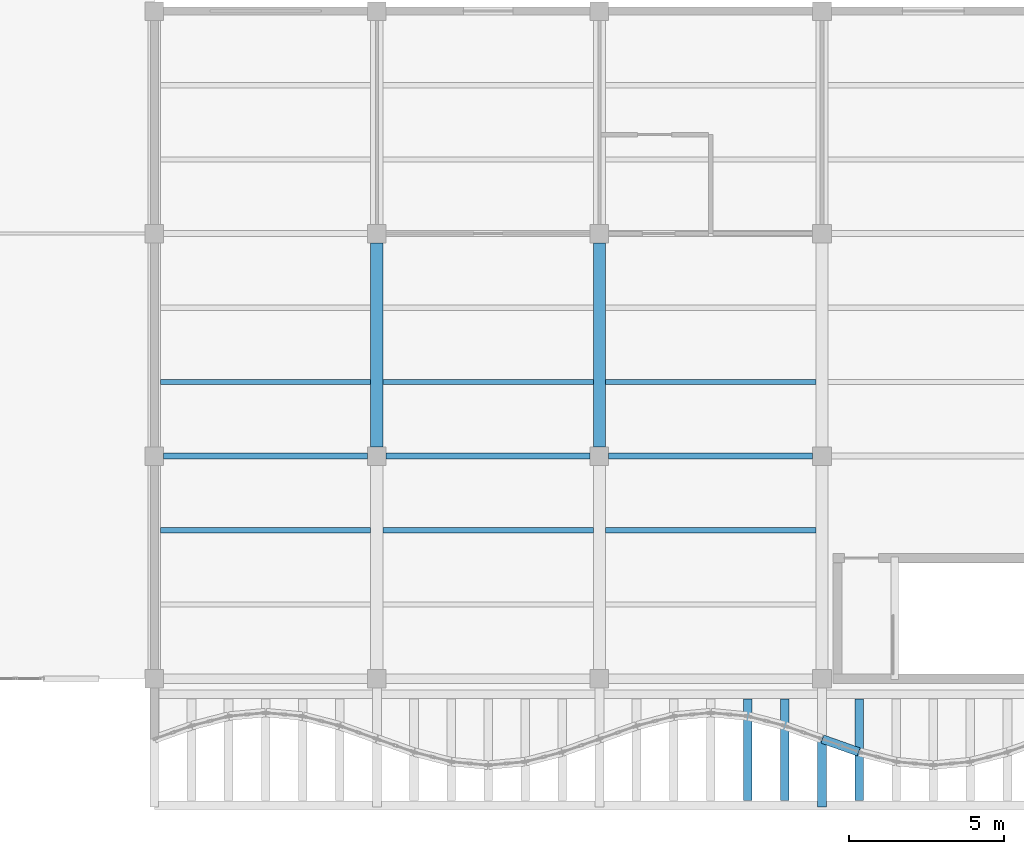
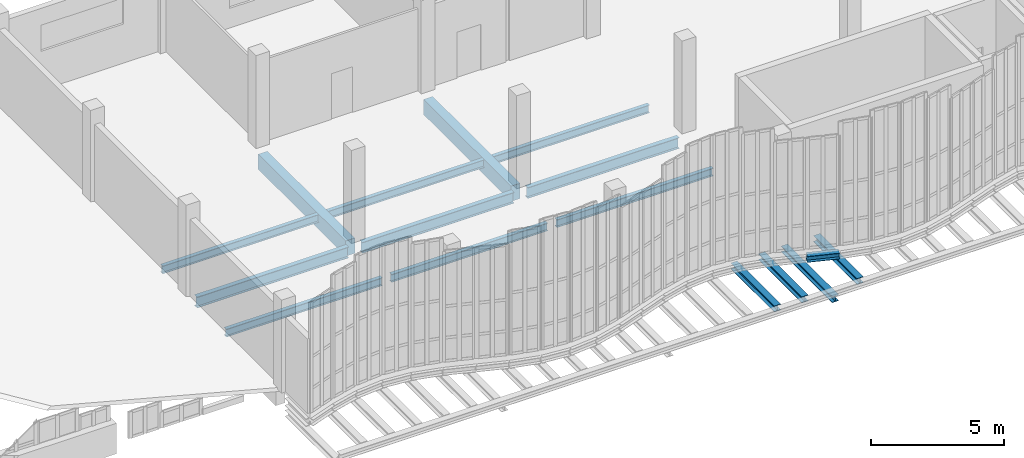
# One storey, part 10 of 76: 16 beams.
"""IFC4 building model written with IfcOpenShell, lengths in metres."""

from ifc_helpers import new_model, si_unit, direction, frame, origin, origin_2d, place, context, subcontext, project, spatial, rectangle, i_section, extrude, material, material_profile, profile_set, type_object, element, save


model = new_model("IFC4")

# Units and contexts
model_context = context("Model", 3, precision=1e-05, world=origin(), true_north=direction((0.0, 1.0)))
body_context = subcontext(model_context, "Body", "Model", "MODEL_VIEW")
ifc_project = project(units=[si_unit("LENGTHUNIT", "METRE"), si_unit("AREAUNIT", "SQUARE_METRE"), si_unit("VOLUMEUNIT", "CUBIC_METRE"), si_unit("PLANEANGLEUNIT", "RADIAN"), si_unit("MASSUNIT", "GRAM", prefix="KILO"), si_unit("THERMODYNAMICTEMPERATUREUNIT", "KELVIN"), si_unit("POWERUNIT", "WATT")], contexts=[model_context])

# Site, building, storey
site_placement = place(None, origin())
site = spatial("IfcSite", under=ifc_project, at=site_placement, CompositionType="ELEMENT")
building_placement = place(site_placement, origin())
building = spatial("IfcBuilding", under=site, at=building_placement, Name="Kaldorven Railside Theatre", CompositionType="ELEMENT")
storey_placement = place(building_placement, frame((0.0, 0.0, 14.39990234375)))
storey = spatial("IfcBuildingStorey", under=building, at=storey_placement, Name="L03", CompositionType="ELEMENT", Elevation=14.39990234375)

# Beams
ifc_material_1 = material(Name="Steel S355", Category="steel")
ifc_material_profile_1 = material_profile(ifc_material_1, i_section(OverallWidth=0.280029296875, OverallDepth=0.280029296875, WebThickness=0.010498046875, FlangeThickness=0.01806640625, at=origin_2d()), Name="HEB 280")
ifc_profile_set_1 = profile_set([ifc_material_profile_1], Name="Steel S355")
beam_type_1 = type_object("IfcBeamType", Name="BM-HEB280", PredefinedType="SPANDREL", material=ifc_profile_set_1)
beam_1_placement = place(storey_placement, frame((58.39990234375, 15.050048828125, -0.97998046875), z_axis=(0.0, 1.0, 0.0), x_axis=(-1.0, 0.0, 0.0)))
element("IfcBeam", 1, at=beam_1_placement, inside=storey, type_object=beam_type_1, Name="L03 Sinusoidal Lower Cantilever Girder FOB-K030", PredefinedType="SPANDREL", context=body_context, shape_type="SweptSolid", body=[
    extrude(i_section(OverallWidth=0.280029296875, OverallDepth=0.280029296875, WebThickness=0.010498046875, FlangeThickness=0.01806640625, at=origin_2d()), origin(), (0.0, 0.0, 1.0), 3.849853515625),
])
for number, where, z_axis, x_axis, name in (
    (2, (56.0, 15.260009765625, -0.699951171875), (0.0, 1.0, 0.0), (-1.0, 0.0, 0.0), "L03 Sinusoidal Diaphragm Rib Outrigger FOB-M161"),
    (3, (57.199951171875, 15.260009765625, -0.699951171875), (0.0, 1.0, 0.0), (-1.0, 0.0, 0.0), "L03 Sinusoidal Diaphragm Rib Outrigger FOB-M162"),
):
    element("IfcBeam", number, at=place(storey_placement, frame(where, z_axis=z_axis, x_axis=x_axis)), inside=storey, type_object=beam_type_1, Name=name, PredefinedType="SPANDREL", context=body_context, shape_type="SweptSolid", body=[
        extrude(i_section(OverallWidth=0.280029296875, OverallDepth=0.280029296875, WebThickness=0.010498046875, FlangeThickness=0.01806640625, at=origin_2d()), origin(), (0.0, 0.0, 1.0), 3.280029296875),
    ])
beam_2_placement = place(storey_placement, frame((58.4140625, 17.2451171875, -0.419921875), z_axis=(0.942627225161, -0.333847142245, 0.0), x_axis=(0.333847142245, 0.942627225161, 0.0)))
element("IfcBeam", 4, at=beam_2_placement, inside=storey, type_object=beam_type_1, Name="L03 Sinusoidal Flute Edge Spandrel FSB-163", PredefinedType="SPANDREL", context=body_context, shape_type="SweptSolid", body=[
    extrude(i_section(OverallWidth=0.280029296875, OverallDepth=0.280029296875, WebThickness=0.010498046875, FlangeThickness=0.01806640625, at=origin_2d()), origin(), (0.0, 0.0, 1.0), 1.2431640625),
])
beam_3_placement = place(storey_placement, frame((59.60009765625, 15.260009765625, -0.699951171875), z_axis=(0.0, 1.0, 0.0), x_axis=(-1.0, 0.0, 0.0)))
element("IfcBeam", 5, at=beam_3_placement, inside=storey, type_object=beam_type_1, Name="L03 Sinusoidal Diaphragm Rib Outrigger FOB-M164", PredefinedType="SPANDREL", context=body_context, shape_type="SweptSolid", body=[
    extrude(i_section(OverallWidth=0.280029296875, OverallDepth=0.280029296875, WebThickness=0.010498046875, FlangeThickness=0.01806640625, at=origin_2d()), origin(), (0.0, 0.0, 1.0), 3.280029296875),
])
ifc_material_profile_2 = material_profile(ifc_material_1, i_section(OverallWidth=0.169921875, OverallDepth=0.360107421875, WebThickness=0.008056640625, FlangeThickness=0.0126953125, at=origin_2d()), Name="IPE 360")
ifc_profile_set_2 = profile_set([ifc_material_profile_2], Name="Steel S355")
beam_type_2 = type_object("IfcBeamType", Name="BM-IPE360", PredefinedType="JOIST", material=ifc_profile_set_2)
for number, where, z_axis, x_axis, name in (
    (6, (37.0, 24.0, -0.4599609375), (1.0, 0.0, 0.0), (0.0, 1.0, 0.0), "L03 Secondary Floor Joist JG-L03-036-0240"),
    (7, (44.199951171875, 24.0, -0.4599609375), (1.0, 0.0, 0.0), (0.0, 1.0, 0.0), "L03 Secondary Floor Joist JG-L03-044-0240"),
    (8, (51.39990234375, 24.0, -0.4599609375), (1.0, 0.0, 0.0), (0.0, 1.0, 0.0), "L03 Secondary Floor Joist JG-L03-051-0240"),
    (9, (37.0, 28.800048828125, -0.4599609375), (1.0, 0.0, 0.0), (0.0, 1.0, 0.0), "L03 Secondary Floor Joist JG-L03-036-0288"),
    (10, (44.199951171875, 28.800048828125, -0.4599609375), (1.0, 0.0, 0.0), (0.0, 1.0, 0.0), "L03 Secondary Floor Joist JG-L03-044-0288"),
    (11, (51.39990234375, 28.800048828125, -0.4599609375), (1.0, 0.0, 0.0), (0.0, 1.0, 0.0), "L03 Secondary Floor Joist JG-L03-051-0288"),
):
    element("IfcBeam", number, at=place(storey_placement, frame(where, z_axis=z_axis, x_axis=x_axis)), inside=storey, type_object=beam_type_2, Name=name, PredefinedType="JOIST", context=body_context, shape_type="SweptSolid", body=[
        extrude(i_section(OverallWidth=0.169921875, OverallDepth=0.360107421875, WebThickness=0.008056640625, FlangeThickness=0.0126953125, at=origin_2d()), origin(), (0.0, 0.0, 1.0), 6.800048828125),
    ])
ifc_material_profile_3 = material_profile(ifc_material_1, i_section(OverallWidth=0.199951171875, OverallDepth=0.5, WebThickness=0.01025390625, FlangeThickness=0.01611328125, at=origin_2d()), Name="IPE 500")
ifc_profile_set_3 = profile_set([ifc_material_profile_3], Name="Steel S355")
beam_type_3 = type_object("IfcBeamType", Name="BM-IPE500", PredefinedType="BEAM", material=ifc_profile_set_3)
for number, where, z_axis, x_axis, name in (
    (12, (37.10009765625, 26.39990234375, -0.52978515625), (1.0, 0.0, 0.0), (0.0, 1.0, 0.0), "L03 Girder BGX-L03-036-026"),
    (13, (44.300048828125, 26.39990234375, -0.52978515625), (1.0, 0.0, 0.0), (0.0, 1.0, 0.0), "L03 Girder BGX-L03-044-026"),
):
    element("IfcBeam", number, at=place(storey_placement, frame(where, z_axis=z_axis, x_axis=x_axis)), inside=storey, type_object=beam_type_3, Name=name, PredefinedType="BEAM", context=body_context, shape_type="SweptSolid", body=[
        extrude(i_section(OverallWidth=0.199951171875, OverallDepth=0.5, WebThickness=0.01025390625, FlangeThickness=0.01611328125, at=origin_2d()), origin(), (0.0, 0.0, 1.0), 6.599853515625),
    ])
beam_4_placement = place(storey_placement, frame((51.5, 26.39990234375, -0.52978515625), z_axis=(1.0, 0.0, 0.0), x_axis=(0.0, 1.0, 0.0)))
element("IfcBeam", 14, at=beam_4_placement, inside=storey, type_object=beam_type_3, Name="L03 Girder BGX-L03-051-026", PredefinedType="BEAM", context=body_context, shape_type="SweptSolid", body=[
    extrude(i_section(OverallWidth=0.199951171875, OverallDepth=0.5, WebThickness=0.01025390625, FlangeThickness=0.01611328125, at=origin_2d()), origin(), (0.0, 0.0, 1.0), 6.60009765625),
])
ifc_material_2 = material(Name="Concrete C40/50", Category="concrete")
ifc_material_profile_4 = material_profile(ifc_material_2, rectangle(XDim=0.39990234375, YDim=0.699951171875, at=origin_2d()), Name="RC 400x700")
ifc_profile_set_4 = profile_set([ifc_material_profile_4], Name="Concrete C40/50")
beam_type_4 = type_object("IfcBeamType", Name="BM-RC400x700", PredefinedType="BEAM", material=ifc_profile_set_4)
for number, where, z_axis, x_axis, name in (
    (15, (44.0, 26.699951171875, -0.6298828125), (0.0, 1.0, 0.0), (-1.0, 0.0, 0.0), "L03 Girder BGY-L03-044-026-72"),
    (16, (51.199951171875, 26.699951171875, -0.6298828125), (0.0, 1.0, 0.0), (-1.0, 0.0, 0.0), "L03 Girder BGY-L03-051-026-72"),
):
    element("IfcBeam", number, at=place(storey_placement, frame(where, z_axis=z_axis, x_axis=x_axis)), inside=storey, type_object=beam_type_4, Name=name, PredefinedType="BEAM", context=body_context, shape_type="SweptSolid", body=[
        extrude(rectangle(XDim=0.39990234375, YDim=0.699951171875, at=origin_2d()), origin(), (0.0, 0.0, 1.0), 6.60009765625),
    ])

save(model, "model.ifc")
